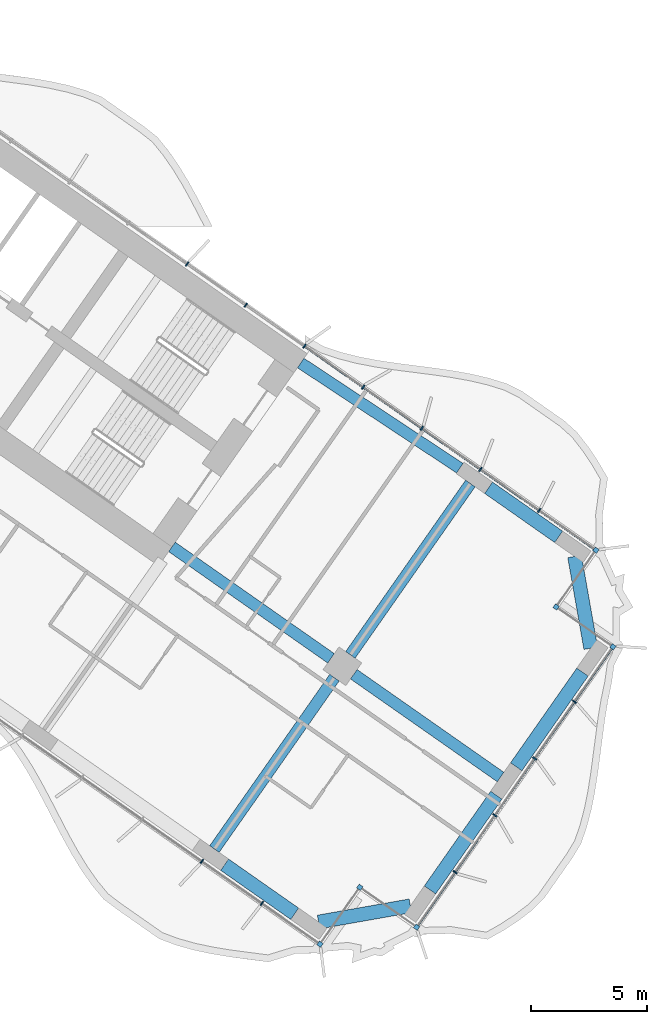
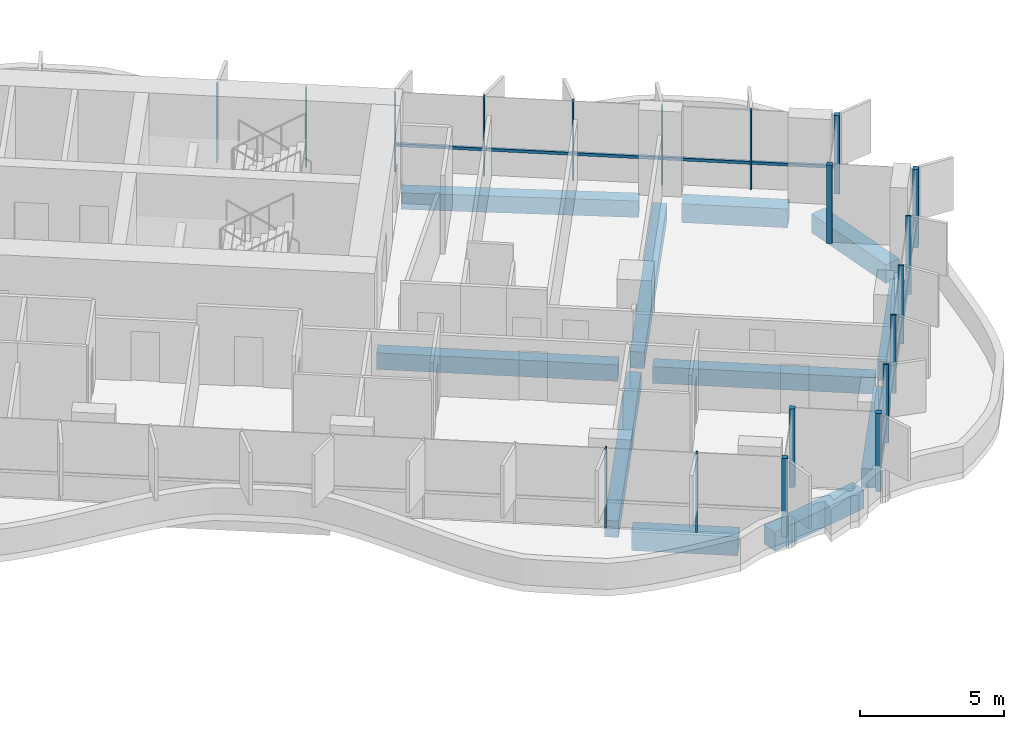
# One storey, part 9 of 23: 21 members, 11 beams, 2 elements without a shape of their own.
"""IFC4 building model written with IfcOpenShell, lengths in metres."""

import ifcopenshell
import ifcopenshell.guid

model = None  # the IFC model being written
_history = None  # IfcOwnerHistory: only IFC2X3 demands one
_inside = {}  # id of a spatial element -> (the spatial element, [elements in it])
_under = {}  # id of a project, library or spatial element -> (it, [spatial elements below it])
_declared = {}  # id of a project -> (the project, [libraries it declares])
_typed = {}  # id of a type object -> (the type object, [elements of that type])
_made_of = {}  # id of a material, layer set ... -> (it, [elements and type objects made of it])


def new_model(schema):
    """Start an empty IFC model of exactly this schema.

    Asked for "IFC4X3", IfcOpenShell would pick the latest addendum, in which some entities
    have other attributes; the version numbers below select the first issue.
    IFC2X3 requires an IfcOwnerHistory on every rooted entity: one is made here for all.
    """
    global model, _history
    if schema == "IFC4X3":
        model = ifcopenshell.file(schema_version=(4, 3, 0, 0))
    else:
        model = ifcopenshell.file(schema=schema)
    _inside.clear()
    _under.clear()
    _declared.clear()
    _typed.clear()
    _made_of.clear()
    _history = None
    if model.schema == "IFC2X3":
        org = make("IfcOrganization", Name="unknown")
        user = make(
            "IfcPersonAndOrganization",
            ThePerson=make("IfcPerson", FamilyName="unknown"),
            TheOrganization=org,
        )
        app = make(
            "IfcApplication",
            ApplicationDeveloper=org,
            Version="unknown",
            ApplicationFullName="unknown",
            ApplicationIdentifier="unknown",
        )
        _history = make(
            "IfcOwnerHistory",
            OwningUser=user,
            OwningApplication=app,
            ChangeAction="ADDED",
            CreationDate=0,
        )
    return model


def make(cls, **values):
    """One entity of the class cls with the attributes given. An attribute that is None is left unset."""
    return model.create_entity(
        cls, **{name: value for name, value in values.items() if value is not None}
    )


def rooted(cls, **values):
    """An entity with a GlobalId (a new one), such as an element, a storey or a relation."""
    return make(cls, GlobalId=ifcopenshell.guid.new(), OwnerHistory=_history, **values)


def si_unit(unit_type, name, prefix=None):
    """IfcSIUnit, for example si_unit("LENGTHUNIT", "METRE", prefix="MILLI")."""
    return make("IfcSIUnit", UnitType=unit_type, Prefix=prefix, Name=name)


def assignment(units):
    """IfcUnitAssignment: the units of a project."""
    return None if units is None else make("IfcUnitAssignment", Units=units)


def point(xyz):
    """IfcCartesianPoint."""
    return None if xyz is None else make("IfcCartesianPoint", Coordinates=xyz)


def direction(xyz):
    """IfcDirection."""
    return None if xyz is None else make("IfcDirection", DirectionRatios=xyz)


def frame(location, z_axis=None, x_axis=None):
    """IfcAxis2Placement3D, a coordinate frame: its origin and axes. An axis left out is left unset."""
    return make(
        "IfcAxis2Placement3D",
        Location=point(location),
        Axis=direction(z_axis),
        RefDirection=direction(x_axis),
    )


def frame_2d(location, x_axis=None):
    """IfcAxis2Placement2D, a coordinate frame in the plane: its origin and x axis."""
    return make(
        "IfcAxis2Placement2D", Location=point(location), RefDirection=direction(x_axis)
    )


def origin():
    """The frame at (0, 0, 0) with its axes left unset."""
    return frame((0.0, 0.0, 0.0))


def origin_2d():
    """The frame at (0, 0) in the plane with its x axis left unset."""
    return frame_2d((0.0, 0.0))


def place(relative_to, where):
    """IfcLocalPlacement: puts the frame where relative to a parent placement (None: the world)."""
    return make(
        "IfcLocalPlacement", PlacementRelTo=relative_to, RelativePlacement=where
    )


def context(
    kind, dimensions, precision=None, world=None, true_north=None, identifier=None
):
    """IfcGeometricRepresentationContext, for example the 3D "Model" context."""
    return make(
        "IfcGeometricRepresentationContext",
        ContextIdentifier=identifier,
        ContextType=kind,
        CoordinateSpaceDimension=dimensions,
        Precision=precision,
        WorldCoordinateSystem=world,
        TrueNorth=true_north,
    )


def subcontext(parent, identifier, kind, view, scale=None):
    """IfcGeometricRepresentationSubContext, for example "Body" below "Model"."""
    return make(
        "IfcGeometricRepresentationSubContext",
        ContextIdentifier=identifier,
        ContextType=kind,
        ParentContext=parent,
        TargetScale=scale,
        TargetView=view,
    )


def project(units=None, contexts=None):
    """IfcProject with its units and contexts."""
    return rooted(
        "IfcProject",
        Name="project",
        RepresentationContexts=contexts,
        UnitsInContext=assignment(units),
    )


def spatial(cls, under=None, at=None, **own):
    """A site, building, storey or space (cls), placed at a placement, below another one or the project."""
    s = rooted(cls, ObjectPlacement=at, **own)
    if under is not None:
        _under.setdefault(under.id(), (under, []))[1].append(s)
    return s


def profile(cls, at=None, kind="AREA", **sizes):
    """A parametric profile (cls). Its sizes go by their IFC names, for example OverallWidth=200.0."""
    return make(cls, ProfileType=kind, Position=at, **sizes)


def rectangle(**sizes):
    """IfcRectangleProfileDef."""
    return profile("IfcRectangleProfileDef", **sizes)


def extrude(swept, where, along, depth):
    """IfcExtrudedAreaSolid: the profile swept, set in the frame where, extruded along a direction by depth."""
    return make(
        "IfcExtrudedAreaSolid",
        SweptArea=swept,
        Position=where,
        ExtrudedDirection=direction(along),
        Depth=depth,
    )


def shape(context_of_items, identifier, shape_type, items):
    """IfcShapeRepresentation: the items that make up one representation, for example the "Body"."""
    return make(
        "IfcShapeRepresentation",
        ContextOfItems=context_of_items,
        RepresentationIdentifier=identifier,
        RepresentationType=shape_type,
        Items=items,
    )


def material(Name=None, Category=None):
    """IfcMaterial."""
    return make("IfcMaterial", Name=Name, Category=Category)


def material_profile(
    of_material, cross_section, Name=None, Category=None, Priority=None
):
    """IfcMaterialProfile: a cross section and its material."""
    return make(
        "IfcMaterialProfile",
        Name=Name,
        Material=of_material,
        Profile=cross_section,
        Priority=Priority,
        Category=Category,
    )


def profile_set(profiles, Name=None, composite=None):
    """IfcMaterialProfileSet."""
    return make(
        "IfcMaterialProfileSet",
        Name=Name,
        MaterialProfiles=profiles,
        CompositeProfile=composite,
    )


def made_of(thing, what):
    """Note that an element or type object is made of a material, layer set ...; save() writes the relation."""
    if what is not None:
        _made_of.setdefault(what.id(), (what, []))[1].append(thing)
    return thing


def type_object(cls, material=None, **own):
    """A type object (cls), such as IfcWallType, which elements share."""
    return made_of(rooted(cls, **own), material)


def element(
    cls,
    number,
    at=None,
    inside=None,
    cuts=None,
    type_object=None,
    material=None,
    context=None,
    identifier="Body",
    shape_type=None,
    held_by="IfcProductDefinitionShape",
    body=None,
    shapes=None,
    **own,
):
    """One element of the class cls, such as IfcWall. Its Tag is "e" and its number.

    at: its placement. inside: the storey or other place that contains it. cuts: it is an
    opening in that element (IfcRelVoidsElement). A single representation is given by context,
    identifier, shape_type and body (its items); several are given by shapes. held_by: the class
    of the entity that holds the representations. save() writes the other relations.
    """
    e = rooted(cls, Tag="e%d" % number, ObjectPlacement=at, **own)
    if body is not None:
        shapes = [shape(context, identifier, shape_type, body)]
    if shapes is not None:
        e.Representation = make(held_by, Representations=shapes)
    if inside is not None:
        _inside.setdefault(inside.id(), (inside, []))[1].append(e)
    if cuts is not None:
        rooted(
            "IfcRelVoidsElement", RelatingBuildingElement=cuts, RelatedOpeningElement=e
        )
    if type_object is not None:
        _typed.setdefault(type_object.id(), (type_object, []))[1].append(e)
    return made_of(e, material)


def aggregate(whole, parts):
    """IfcRelAggregates: a whole, such as a stair, and the parts it consists of."""
    return rooted("IfcRelAggregates", RelatingObject=whole, RelatedObjects=parts)


def save(model, path):
    """Write the relations noted so far, then the file.

    IfcRelAggregates (storeys below a building ...), IfcRelContainedInSpatialStructure (elements
    in a storey), IfcRelDefinesByType, IfcRelAssociatesMaterial and IfcRelDeclares: one each for
    every whole, place, type object, material and project.
    """
    for whole, parts in _under.values():
        aggregate(whole, parts)
    for where, things in _inside.values():
        rooted(
            "IfcRelContainedInSpatialStructure",
            RelatedElements=things,
            RelatingStructure=where,
        )
    for kind, things in _typed.values():
        rooted("IfcRelDefinesByType", RelatedObjects=things, RelatingType=kind)
    for what, things in _made_of.values():
        rooted("IfcRelAssociatesMaterial", RelatedObjects=things, RelatingMaterial=what)
    for by, libraries in _declared.values():
        rooted("IfcRelDeclares", RelatingContext=by, RelatedDefinitions=libraries)
    model.write(path)


model = new_model("IFC4")

# Units and contexts
model_context = context("Model", 3, precision=1e-05, world=origin(), true_north=direction((0.0, 1.0)))
body_context = subcontext(model_context, "Body", "Model", "MODEL_VIEW")
ifc_project = project(units=[si_unit("LENGTHUNIT", "METRE"), si_unit("AREAUNIT", "SQUARE_METRE"), si_unit("VOLUMEUNIT", "CUBIC_METRE"), si_unit("PLANEANGLEUNIT", "RADIAN"), si_unit("MASSUNIT", "GRAM", prefix="KILO")], contexts=[model_context])

# Site, building, storey
site_placement = place(None, origin())
site = spatial("IfcSite", under=ifc_project, at=site_placement, CompositionType="ELEMENT")
building_placement = place(site_placement, origin())
building = spatial("IfcBuilding", under=site, at=building_placement, Name="Tel Ilan Convention Tower", CompositionType="ELEMENT")
storey_placement = place(building_placement, frame((0.0, 0.0, 108.5)))
storey = spatial("IfcBuildingStorey", under=building, at=storey_placement, Name="L23", CompositionType="ELEMENT", Elevation=108.5)

# Beams
ifc_material_1 = material(Name="Concrete C40/50", Category="concrete")
ifc_material_profile_1 = material_profile(ifc_material_1, rectangle(XDim=0.5, YDim=0.699951171875, at=origin_2d()), Name="RC 500x700")
ifc_profile_set_1 = profile_set([ifc_material_profile_1], Name="Concrete C40/50")
beam_type_1 = type_object("IfcBeamType", Name="Beam RC 500x700 Concrete C40/50", PredefinedType="BEAM", material=ifc_profile_set_1)
beam_1_placement = place(storey_placement, frame((34.570556640625, -12.08447265625, -0.6298828125), z_axis=(-0.834273603487, 0.551350663847, 0.0), x_axis=(-0.551350663847, -0.834273603487, 0.0)))
element("IfcBeam", 1, at=beam_1_placement, inside=storey, type_object=beam_type_1, Name="L23 beam E-E-B4-core", PredefinedType="BEAM", context=body_context, shape_type="SweptSolid", body=[
    extrude(rectangle(XDim=0.5, YDim=0.699951171875, at=origin_2d()), origin(), (0.0, 0.0, 1.0), 8.2529296875),
])
beam_2_placement = place(storey_placement, frame((22.1171875, -15.486572265625, -0.6298828125), z_axis=(0.819147254605, -0.573583276668, 0.0), x_axis=(0.573583276668, 0.819147254605, 0.0)))
element("IfcBeam", 2, at=beam_2_placement, inside=storey, type_object=beam_type_1, Name="L23 beam E-core-E-M4", PredefinedType="BEAM", context=body_context, shape_type="SweptSolid", body=[
    extrude(rectangle(XDim=0.5, YDim=0.699951171875, at=origin_2d()), origin(), (0.0, 0.0, 1.0), 8.400146484375),
])
beam_3_placement = place(storey_placement, frame((29.98095703125, -20.992919921875, -0.6298828125), z_axis=(0.819159394801, -0.573565938589, 0.0), x_axis=(0.573565938589, 0.819159394801, 0.0)))
element("IfcBeam", 3, at=beam_3_placement, inside=storey, type_object=beam_type_1, Name="L23 beam E-E-M4-end", PredefinedType="BEAM", context=body_context, shape_type="SweptSolid", body=[
    extrude(rectangle(XDim=0.5, YDim=0.699951171875, at=origin_2d()), origin(), (0.0, 0.0, 1.0), 7.75),
])
for number, where, z_axis, x_axis, name in (
    (4, (29.145263671875, -21.14013671875, -0.6298828125), (-0.573549245583, -0.819171082798, 0.0), (0.819171082798, -0.573549245583, 0.0), "L23 beam E-E-M4-E-F4"),
    (5, (29.83349609375, -20.1572265625, -0.6298828125), (0.57358002233, 0.819149533348, 0.0), (-0.819149533348, 0.57358002233, 0.0), "L23 beam E-E-M4-E-B4"),
):
    element("IfcBeam", number, at=place(storey_placement, frame(where, z_axis=z_axis, x_axis=x_axis)), inside=storey, type_object=beam_type_1, Name=name, PredefinedType="BEAM", context=body_context, shape_type="SweptSolid", body=[
        extrude(rectangle(XDim=0.5, YDim=0.699951171875, at=origin_2d()), origin(), (0.0, 0.0, 1.0), 9.050048828125),
    ])
ifc_material_2 = material(Name="Concrete C40/50", Category="concrete")
ifc_material_profile_2 = material_profile(ifc_material_2, rectangle(XDim=0.60009765625, YDim=0.800048828125, at=origin_2d()), Name="RC 600x800")
ifc_profile_set_2 = profile_set([ifc_material_profile_2], Name="Concrete C40/50")
beam_type_2 = type_object("IfcBeamType", Name="Beam RC 600x800 Concrete C40/50", PredefinedType="BEAM", material=ifc_profile_set_2)
beam_4_placement = place(storey_placement, frame((24.396728515625, -29.2294921875, -0.679931640625), z_axis=(0.819132709951, -0.573604047656, 0.0), x_axis=(0.573604047656, 0.819132709951, 0.0)))
element("IfcBeam", 6, at=beam_4_placement, inside=storey, type_object=beam_type_2, Name="L23 beam E-E-F4-E-FC", PredefinedType="BEAM", context=body_context, shape_type="SweptSolid", body=[
    extrude(rectangle(XDim=0.60009765625, YDim=0.800048828125, at=origin_2d()), origin(), (0.0, 0.0, 1.0), 3.699951171875),
])
beam_5_placement = place(storey_placement, frame((28.459716796875, -31.708251953125, -0.679931640625), z_axis=(0.984806721117, 0.173654029734, 0.0), x_axis=(-0.173654029734, 0.984806721117, 0.0)))
element("IfcBeam", 7, at=beam_5_placement, inside=storey, type_object=beam_type_2, Name="L23 beam E-E-FC-E-E1", PredefinedType="BEAM", context=body_context, shape_type="SweptSolid", body=[
    extrude(rectangle(XDim=0.60009765625, YDim=0.800048828125, at=origin_2d()), origin(), (0.0, 0.0, 1.0), 4.03076171875),
])
for number, where, z_axis, x_axis, name in (
    (8, (33.277099609375, -30.3203125, -0.679931640625), (0.573586866468, 0.819144740944, 0.0), (-0.819144740944, 0.573586866468, 0.0), "L23 beam E-E-E1-E-E2"),
    (9, (37.00537109375, -24.995849609375, -0.679931640625), (0.573586866468, 0.819144740944, 0.0), (-0.819144740944, 0.573586866468, 0.0), "L23 beam E-E-E2-E-E3"),
):
    element("IfcBeam", number, at=place(storey_placement, frame(where, z_axis=z_axis, x_axis=x_axis)), inside=storey, type_object=beam_type_2, Name=name, PredefinedType="BEAM", context=body_context, shape_type="SweptSolid", body=[
        extrude(rectangle(XDim=0.60009765625, YDim=0.800048828125, at=origin_2d()), origin(), (0.0, 0.0, 1.0), 5.0),
    ])
beam_6_placement = place(storey_placement, frame((40.229736328125, -19.867919921875, -0.679931640625), z_axis=(-0.173664388751, 0.984804894423, 0.0), x_axis=(-0.984804894423, -0.173664388751, 0.0)))
element("IfcBeam", 10, at=beam_6_placement, inside=storey, type_object=beam_type_2, Name="L23 beam E-E-E3-E-BC", PredefinedType="BEAM", context=body_context, shape_type="SweptSolid", body=[
    extrude(rectangle(XDim=0.60009765625, YDim=0.800048828125, at=origin_2d()), origin(), (0.0, 0.0, 1.0), 4.030517578125),
])
beam_7_placement = place(storey_placement, frame((38.841796875, -15.050537109375, -0.679931640625), z_axis=(-0.819185419371, 0.573528768842, 0.0), x_axis=(-0.573528768842, -0.819185419371, 0.0)))
element("IfcBeam", 11, at=beam_7_placement, inside=storey, type_object=beam_type_2, Name="L23 beam E-E-BC-E-B4", PredefinedType="BEAM", context=body_context, shape_type="SweptSolid", body=[
    extrude(rectangle(XDim=0.60009765625, YDim=0.800048828125, at=origin_2d()), origin(), (0.0, 0.0, 1.0), 3.699951171875),
])

# Curtain wall, members
ifc_material_3 = material(Name="Aluminium, bronze anodised", Category="aluminium")
curtain_wall_type_1 = type_object("IfcCurtainWallType", Name="CW1 UNITISED CURTAIN WALL, HOTEL TINTED GLASS", PredefinedType="NOTDEFINED", material=ifc_material_3)
curtain_wall_1_placement = place(storey_placement, origin())
curtain_wall_1 = element("IfcCurtainWall", 12, at=curtain_wall_1_placement, inside=storey, type_object=curtain_wall_type_1, Name="Curtain wall CW1-19.02", PredefinedType="NOTDEFINED")
ifc_material_4 = material(Name="Aluminium, bronze anodised", Category="aluminium")
ifc_material_profile_3 = material_profile(ifc_material_4, rectangle(XDim=0.199951171875, YDim=0.199951171875, at=origin_2d()), Name="CW CORNER MULLION 200x200")
ifc_profile_set_3 = profile_set([ifc_material_profile_3], Name="Aluminium, bronze anodised")
member_type_1 = type_object("IfcMemberType", Name="CW CORNER MULLION 200x200", PredefinedType="MULLION", material=ifc_profile_set_3)
member_1_placement = place(storey_placement, frame((28.52099609375, -32.666748046875, 0.0), z_axis=(0.0, 0.0, 1.0), x_axis=(0.819152044289, -0.573576436351, 0.0)))
member_1 = element("IfcMember", 13, at=member_1_placement, type_object=member_type_1, Name="Corner mullion", PredefinedType="MULLION", context=body_context, shape_type="SweptSolid", body=[
    extrude(rectangle(XDim=0.199951171875, YDim=0.199951171875, at=origin_2d()), origin(), (0.0, 0.0, 1.0), 3.320068359375),
])
member_2_placement = place(storey_placement, frame((30.241943359375, -30.209228515625, 0.0), z_axis=(0.0, 0.0, 1.0), x_axis=(0.573576436351, 0.819152044289, 0.0)))
member_2 = element("IfcMember", 14, at=member_2_placement, type_object=member_type_1, Name="Corner mullion", PredefinedType="MULLION", context=body_context, shape_type="SweptSolid", body=[
    extrude(rectangle(XDim=0.199951171875, YDim=0.199951171875, at=origin_2d()), origin(), (0.0, 0.0, 1.0), 3.320068359375),
])
member_3_placement = place(storey_placement, frame((32.69921875, -31.929931640625, 0.0), z_axis=(0.0, 0.0, 1.0), x_axis=(0.819152044289, -0.573576436351, 0.0)))
member_3 = element("IfcMember", 15, at=member_3_placement, type_object=member_type_1, Name="Corner mullion", PredefinedType="MULLION", context=body_context, shape_type="SweptSolid", body=[
    extrude(rectangle(XDim=0.199951171875, YDim=0.199951171875, at=origin_2d()), origin(), (0.0, 0.0, 1.0), 3.320068359375),
])
member_4_placement = place(storey_placement, frame((41.188232421875, -19.806640625, 0.0), z_axis=(0.0, 0.0, 1.0), x_axis=(0.573576436351, 0.819152044289, 0.0)))
member_4 = element("IfcMember", 16, at=member_4_placement, type_object=member_type_1, Name="Corner mullion", PredefinedType="MULLION", context=body_context, shape_type="SweptSolid", body=[
    extrude(rectangle(XDim=0.199951171875, YDim=0.199951171875, at=origin_2d()), origin(), (0.0, 0.0, 1.0), 3.320068359375),
])
member_5_placement = place(storey_placement, frame((38.730712890625, -18.0859375, 0.0), z_axis=(0.0, 0.0, 1.0), x_axis=(-0.819152044289, 0.573576436351, 0.0)))
member_5 = element("IfcMember", 17, at=member_5_placement, type_object=member_type_1, Name="Corner mullion", PredefinedType="MULLION", context=body_context, shape_type="SweptSolid", body=[
    extrude(rectangle(XDim=0.199951171875, YDim=0.199951171875, at=origin_2d()), origin(), (0.0, 0.0, 1.0), 3.320068359375),
])
member_6_placement = place(storey_placement, frame((40.451416015625, -15.62841796875, 0.0), z_axis=(0.0, 0.0, 1.0), x_axis=(0.573576436351, 0.819152044289, 0.0)))
member_6 = element("IfcMember", 18, at=member_6_placement, type_object=member_type_1, Name="Corner mullion", PredefinedType="MULLION", context=body_context, shape_type="SweptSolid", body=[
    extrude(rectangle(XDim=0.199951171875, YDim=0.199951171875, at=origin_2d()), origin(), (0.0, 0.0, 1.0), 3.320068359375),
])

ifc_material_5 = material(Name="Aluminium, bronze anodised", Category="aluminium")
curtain_wall_type_2 = type_object("IfcCurtainWallType", Name="CW2 STICK CURTAIN WALL, SPANDREL PANELS", PredefinedType="NOTDEFINED", material=ifc_material_5)
curtain_wall_2_placement = place(storey_placement, origin())
curtain_wall_2 = element("IfcCurtainWall", 19, at=curtain_wall_2_placement, inside=storey, type_object=curtain_wall_type_2, Name="Curtain wall CW2-19.01", PredefinedType="NOTDEFINED")
ifc_material_6 = material(Name="Aluminium, bronze anodised", Category="aluminium")
ifc_material_profile_4 = material_profile(ifc_material_6, rectangle(XDim=0.06005859375, YDim=0.199951171875, at=origin_2d()), Name="CW MULLION 60x200")
ifc_profile_set_4 = profile_set([ifc_material_profile_4], Name="Aluminium, bronze anodised")
member_type_2 = type_object("IfcMemberType", Name="CW MULLION 60x200", PredefinedType="MULLION", material=ifc_profile_set_4)
member_7_placement = place(storey_placement, frame((27.848876953125, -6.803955078125, 0.0), z_axis=(0.0, 0.0, 1.0), x_axis=(-0.819152044289, 0.573576436351, 0.0)))
member_7 = element("IfcMember", 20, at=member_7_placement, type_object=member_type_2, Name="Mullion", PredefinedType="MULLION", context=body_context, shape_type="SweptSolid", body=[
    extrude(rectangle(XDim=0.06005859375, YDim=0.199951171875, at=origin_2d()), origin(), (0.0, 0.0, 1.0), 3.320068359375),
])
member_8_placement = place(storey_placement, frame((25.311767578125, -5.027587890625, 0.0), z_axis=(0.0, 0.0, 1.0), x_axis=(-0.819152044289, 0.573576436351, 0.0)))
member_8 = element("IfcMember", 21, at=member_8_placement, type_object=member_type_2, Name="Mullion", PredefinedType="MULLION", context=body_context, shape_type="SweptSolid", body=[
    extrude(rectangle(XDim=0.06005859375, YDim=0.199951171875, at=origin_2d()), origin(), (0.0, 0.0, 1.0), 3.320068359375),
])
member_9_placement = place(storey_placement, frame((22.77490234375, -3.251220703125, 0.0), z_axis=(0.0, 0.0, 1.0), x_axis=(-0.819152044289, 0.573576436351, 0.0)))
member_9 = element("IfcMember", 22, at=member_9_placement, type_object=member_type_2, Name="Mullion", PredefinedType="MULLION", context=body_context, shape_type="SweptSolid", body=[
    extrude(rectangle(XDim=0.06005859375, YDim=0.199951171875, at=origin_2d()), origin(), (0.0, 0.0, 1.0), 3.320068359375),
])
aggregate(curtain_wall_2, [member_7, member_8, member_9])

# Member
member_10_placement = place(storey_placement, frame((23.412841796875, -29.08984375, 0.0), z_axis=(0.0, 0.0, 1.0), x_axis=(0.819152044289, -0.573576436351, 0.0)))
member_10 = element("IfcMember", 23, at=member_10_placement, type_object=member_type_2, Name="Mullion", PredefinedType="MULLION", context=body_context, shape_type="SweptSolid", body=[
    extrude(rectangle(XDim=0.06005859375, YDim=0.199951171875, at=origin_2d()), origin(), (0.0, 0.0, 1.0), 3.320068359375),
])

member_11_placement = place(storey_placement, frame((26.008056640625, -30.906982421875, 0.0), z_axis=(0.0, 0.0, 1.0), x_axis=(0.819152044289, -0.573576436351, 0.0)))
member_11 = element("IfcMember", 24, at=member_11_placement, type_object=member_type_2, Name="Mullion", PredefinedType="MULLION", context=body_context, shape_type="SweptSolid", body=[
    extrude(rectangle(XDim=0.06005859375, YDim=0.199951171875, at=origin_2d()), origin(), (0.0, 0.0, 1.0), 3.320068359375),
])

member_12_placement = place(storey_placement, frame((34.362548828125, -29.554443359375, 0.0), z_axis=(0.0, 0.0, 1.0), x_axis=(0.573576436351, 0.819152044289, 0.0)))
member_12 = element("IfcMember", 25, at=member_12_placement, type_object=member_type_2, Name="Mullion", PredefinedType="MULLION", context=body_context, shape_type="SweptSolid", body=[
    extrude(rectangle(XDim=0.06005859375, YDim=0.199951171875, at=origin_2d()), origin(), (0.0, 0.0, 1.0), 3.320068359375),
])

member_13_placement = place(storey_placement, frame((36.08349609375, -27.096923828125, 0.0), z_axis=(0.0, 0.0, 1.0), x_axis=(0.573576436351, 0.819152044289, 0.0)))
member_13 = element("IfcMember", 26, at=member_13_placement, type_object=member_type_2, Name="Mullion", PredefinedType="MULLION", context=body_context, shape_type="SweptSolid", body=[
    extrude(rectangle(XDim=0.06005859375, YDim=0.199951171875, at=origin_2d()), origin(), (0.0, 0.0, 1.0), 3.320068359375),
])

member_14_placement = place(storey_placement, frame((37.80419921875, -24.6396484375, 0.0), z_axis=(0.0, 0.0, 1.0), x_axis=(0.573576436351, 0.819152044289, 0.0)))
member_14 = element("IfcMember", 27, at=member_14_placement, type_object=member_type_2, Name="Mullion", PredefinedType="MULLION", context=body_context, shape_type="SweptSolid", body=[
    extrude(rectangle(XDim=0.06005859375, YDim=0.199951171875, at=origin_2d()), origin(), (0.0, 0.0, 1.0), 3.320068359375),
])

member_15_placement = place(storey_placement, frame((39.52490234375, -22.18212890625, 0.0), z_axis=(0.0, 0.0, 1.0), x_axis=(0.573576436351, 0.819152044289, 0.0)))
member_15 = element("IfcMember", 28, at=member_15_placement, type_object=member_type_2, Name="Mullion", PredefinedType="MULLION", context=body_context, shape_type="SweptSolid", body=[
    extrude(rectangle(XDim=0.06005859375, YDim=0.199951171875, at=origin_2d()), origin(), (0.0, 0.0, 1.0), 3.320068359375),
])

member_16_placement = place(storey_placement, frame((37.99658203125, -13.909423828125, 0.0), z_axis=(0.0, 0.0, 1.0), x_axis=(-0.819152044289, 0.573576436351, 0.0)))
member_16 = element("IfcMember", 29, at=member_16_placement, type_object=member_type_2, Name="Mullion", PredefinedType="MULLION", context=body_context, shape_type="SweptSolid", body=[
    extrude(rectangle(XDim=0.06005859375, YDim=0.199951171875, at=origin_2d()), origin(), (0.0, 0.0, 1.0), 3.320068359375),
])

member_17_placement = place(storey_placement, frame((35.45947265625, -12.133056640625, 0.0), z_axis=(0.0, 0.0, 1.0), x_axis=(-0.819152044289, 0.573576436351, 0.0)))
member_17 = element("IfcMember", 30, at=member_17_placement, type_object=member_type_2, Name="Mullion", PredefinedType="MULLION", context=body_context, shape_type="SweptSolid", body=[
    extrude(rectangle(XDim=0.06005859375, YDim=0.199951171875, at=origin_2d()), origin(), (0.0, 0.0, 1.0), 3.320068359375),
])

member_18_placement = place(storey_placement, frame((32.922607421875, -10.356689453125, 0.0), z_axis=(0.0, 0.0, 1.0), x_axis=(-0.819152044289, 0.573576436351, 0.0)))
member_18 = element("IfcMember", 31, at=member_18_placement, type_object=member_type_2, Name="Mullion", PredefinedType="MULLION", context=body_context, shape_type="SweptSolid", body=[
    extrude(rectangle(XDim=0.06005859375, YDim=0.199951171875, at=origin_2d()), origin(), (0.0, 0.0, 1.0), 3.320068359375),
])

member_19_placement = place(storey_placement, frame((30.3857421875, -8.580322265625, 0.0), z_axis=(0.0, 0.0, 1.0), x_axis=(-0.819152044289, 0.573576436351, 0.0)))
member_19 = element("IfcMember", 32, at=member_19_placement, type_object=member_type_2, Name="Mullion", PredefinedType="MULLION", context=body_context, shape_type="SweptSolid", body=[
    extrude(rectangle(XDim=0.06005859375, YDim=0.199951171875, at=origin_2d()), origin(), (0.0, 0.0, 1.0), 3.320068359375),
])

ifc_material_7 = material(Name="Aluminium, bronze anodised", Category="aluminium")
ifc_material_profile_5 = material_profile(ifc_material_7, rectangle(XDim=0.10009765625, YDim=0.1201171875, at=origin_2d()), Name="CW TRANSOM 100x120")
ifc_profile_set_5 = profile_set([ifc_material_profile_5], Name="Aluminium, bronze anodised")
member_type_3 = type_object("IfcMemberType", Name="CW TRANSOM 100x120", PredefinedType="USERDEFINED", material=ifc_profile_set_5)
member_20_placement = place(storey_placement, frame((32.756591796875, -31.84814453125, 1.10009765625), z_axis=(0.573575688231, 0.819152568128, 0.0), x_axis=(-0.819152568128, 0.573575688231, 0.0)))
member_20 = element("IfcMember", 33, at=member_20_placement, type_object=member_type_3, Name="Transom", ObjectType="TRANSOM", PredefinedType="USERDEFINED", context=body_context, shape_type="SweptSolid", body=[
    extrude(rectangle(XDim=0.10009765625, YDim=0.1201171875, at=origin_2d()), origin(), (0.0, 0.0, 1.0), 14.60009765625),
])

member_21_placement = place(storey_placement, frame((40.36962890625, -15.571044921875, 1.10009765625), z_axis=(-0.819152967985, 0.573575117174, 0.0), x_axis=(-0.573575117174, -0.819152967985, 0.0)))
member_21 = element("IfcMember", 34, at=member_21_placement, type_object=member_type_3, Name="Transom", ObjectType="TRANSOM", PredefinedType="USERDEFINED", context=body_context, shape_type="SweptSolid", body=[
    extrude(rectangle(XDim=0.10009765625, YDim=0.1201171875, at=origin_2d()), origin(), (0.0, 0.0, 1.0), 15.255126953125),
])

aggregate(curtain_wall_1, [member_10, member_11, member_1, member_2, member_3, member_12, member_13, member_14, member_15, member_4, member_20, member_5, member_6, member_16, member_17, member_18, member_19, member_21])

save(model, "model.ifc")
